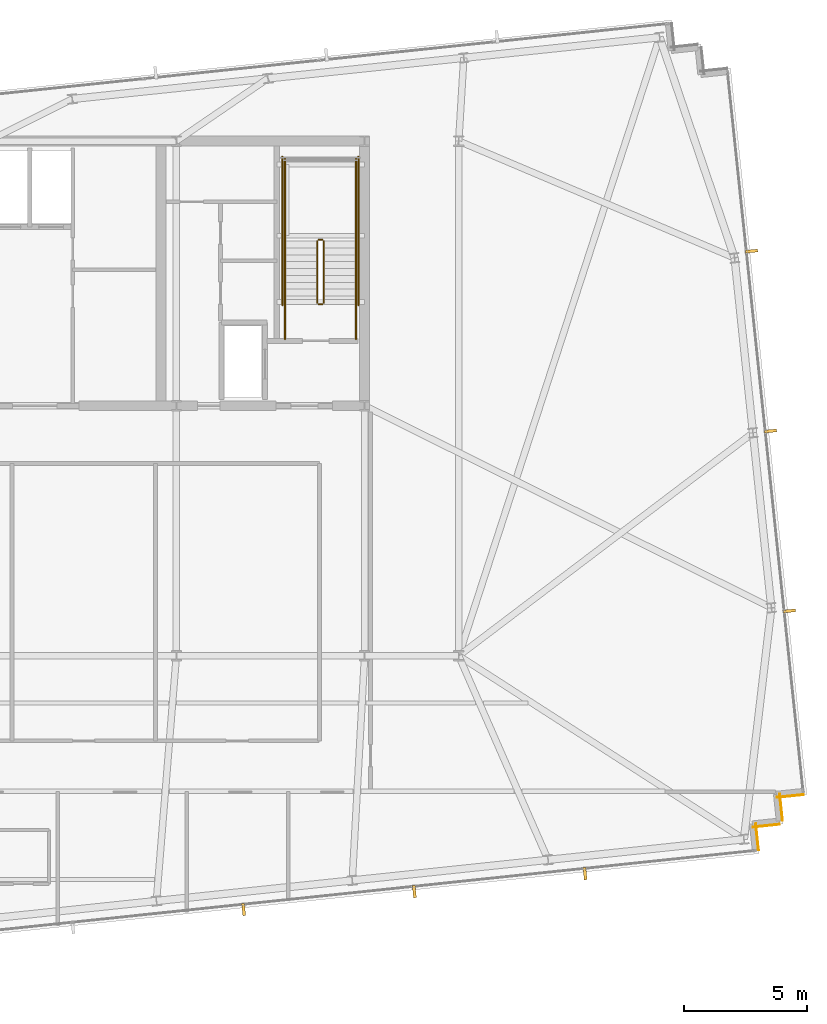
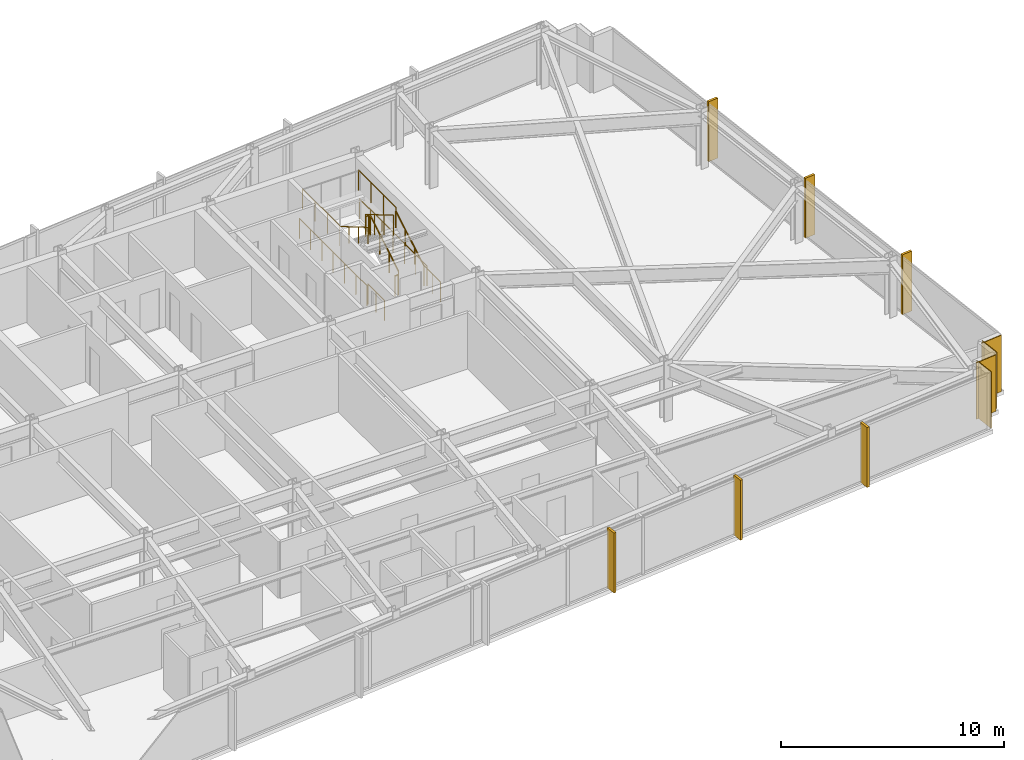
# One storey, part 31 of 32: 12 railings, 6 shading devices, 4 coverings.
"""IFC4 building model written with IfcOpenShell, lengths in metres."""

from ifc_helpers import new_model, si_unit, direction, frame, frame_2d, origin, origin_2d, place, context, subcontext, project, spatial, rectangle, circle, extrude, material, layer, layer_set, type_object, element, save


model = new_model("IFC4")

# Units and contexts
model_context = context("Model", 3, precision=1e-05, world=origin(), true_north=direction((0.0, 1.0)))
body_context = subcontext(model_context, "Body", "Model", "MODEL_VIEW")
ifc_project = project(units=[si_unit("LENGTHUNIT", "METRE"), si_unit("AREAUNIT", "SQUARE_METRE"), si_unit("VOLUMEUNIT", "CUBIC_METRE"), si_unit("PLANEANGLEUNIT", "RADIAN"), si_unit("MASSUNIT", "GRAM", prefix="KILO")], contexts=[model_context])

# Site, building, storey
site_placement = place(None, origin())
site = spatial("IfcSite", under=ifc_project, at=site_placement, CompositionType="ELEMENT")
building_placement = place(site_placement, origin())
building = spatial("IfcBuilding", under=site, at=building_placement, Name="Yelkora Congress Tower", CompositionType="ELEMENT")
storey_placement = place(building_placement, frame((0.0, 0.0, 217.699951171875)))
storey = spatial("IfcBuildingStorey", under=building, at=storey_placement, Name="L60", CompositionType="ELEMENT", Elevation=217.699951171875)

# Coverings
ifc_material_1 = material(Name="Anatolian bush-hammered limestone", Category="masonry")
ifc_layer_1 = layer(ifc_material_1, 0.0400390625)
ifc_layer_set_1 = layer_set([ifc_layer_1], Name="Anatolian bush-hammered limestone")
covering_type = type_object("IfcCoveringType", Name="COV-CLAD-SPANDREL-40", PredefinedType="CLADDING", material=ifc_layer_set_1)
for number, where, z_axis, x_axis, name in (
    (1, (71.668212890625, 19.535888671875, 0.0), (0.0, 0.0, 1.0), (-0.994544300928, -0.104315068386, 0.0), "L60 Anatolian Limestone Cladding EW-L60-SR16"),
    (2, (70.6943359375, 19.569580078125, 0.0), (0.0, 0.0, 1.0), (0.104534592565, -0.994521251134, 0.0), "L60 Anatolian Limestone Cladding EW-L60-SR17"),
    (3, (70.689208984375, 18.3271484375, 0.0), (0.0, 0.0, 1.0), (-0.994521251134, -0.104534592565, 0.0), "L60 Anatolian Limestone Cladding EW-L60-SR18"),
    (4, (69.71533203125, 18.360595703125, 0.0), (0.0, 0.0, 1.0), (0.104534592565, -0.994521251134, 0.0), "L60 Anatolian Limestone Cladding EW-L60-SR19"),
):
    element("IfcCovering", number, at=place(storey_placement, frame(where, z_axis=z_axis, x_axis=x_axis)), inside=storey, type_object=covering_type, Name=name, PredefinedType="CLADDING", context=body_context, shape_type="SweptSolid", body=[
        extrude(rectangle(XDim=1.10009765625, YDim=0.0400390625, at=frame_2d((0.550048828125, 0.0))), origin(), (0.0, 0.0, 1.0), 3.080078125),
    ])

# Railings
ifc_material_2 = material(Name="Painted galvanised steel stair well guard with vertical infill", Category="steel")
ifc_layer_2 = layer(ifc_material_2, 0.06005859375)
ifc_layer_set_2 = layer_set([ifc_layer_2], Name="Painted galvanised steel stair well guard with vertical infill")
railing_type_1 = type_object("IfcRailingType", Name="RAIL-STAIR-GUARD-1120", PredefinedType="GUARDRAIL", material=ifc_layer_set_2)
railing_1_placement = place(storey_placement, frame((52.090087890625, 39.60009765625, 0.1650390625)))
element("IfcRailing", 5, at=railing_1_placement, inside=storey, type_object=railing_type_1, Name="ST-02 L60 Stair Well Guardrail 1", PredefinedType="GUARDRAIL", context=body_context, shape_type="SweptSolid", body=[
    extrude(circle(Radius=0.02392578125, at=origin_2d()), frame((0.0, 0.0, 1.09619140625), z_axis=(0.0, 0.86152411907, 0.507716645641), x_axis=(-1.0, 0.0, 0.0)), (0.0, 0.0, 1.0), 2.925048828125),
    extrude(circle(Radius=0.02099609375, at=origin_2d()), origin(), (0.0, 0.0, 1.0), 1.072021484375),
    extrude(circle(Radius=0.02099609375, at=origin_2d()), frame((0.0, 0.840087890625, 0.4951171875)), (0.0, 0.0, 1.0), 1.072021484375),
    extrude(circle(Radius=0.02099609375, at=origin_2d()), frame((0.0, 1.679931640625, 0.989990234375)), (0.0, 0.0, 1.0), 1.072021484375),
    extrude(circle(Radius=0.02099609375, at=origin_2d()), frame((0.0, 2.52001953125, 1.485107421875)), (0.0, 0.0, 1.0), 1.072021484375),
])
railing_2_placement = place(storey_placement, frame((52.0400390625, 42.169921875, 1.650146484375)))
element("IfcRailing", 6, at=railing_2_placement, inside=storey, type_object=railing_type_1, Name="ST-02 L60 Stair Well Guardrail 2", PredefinedType="GUARDRAIL", context=body_context, shape_type="SweptSolid", body=[
    extrude(circle(Radius=0.02392578125, at=origin_2d()), frame((0.0, 0.0, 1.09619140625), z_axis=(-1.0, 0.0, 0.0), x_axis=(0.0, -1.0, 0.0)), (0.0, 0.0, 1.0), 0.16015625),
    extrude(circle(Radius=0.02099609375, at=origin_2d()), origin(), (0.0, 0.0, 1.0), 1.072021484375),
    extrude(circle(Radius=0.02099609375, at=origin_2d()), frame((-0.16015625, 0.0, 0.0)), (0.0, 0.0, 1.0), 1.072021484375),
])
for number, where, name in (
    (7, (53.409912109375, 42.1201171875, 1.650146484375), "ST-02 L60 Stair Well Guardrail 3"),
    (8, (50.510009765625, 42.1201171875, 1.650146484375), "ST-02 L60 Stair Well Guardrail 4"),
):
    element("IfcRailing", number, at=place(storey_placement, frame(where)), inside=storey, type_object=railing_type_1, Name=name, PredefinedType="GUARDRAIL", context=body_context, shape_type="SweptSolid", body=[
        extrude(circle(Radius=0.02392578125, at=origin_2d()), frame((0.0, 0.0, 1.09619140625), z_axis=(0.0, 1.0, 0.0), x_axis=(-1.0, 0.0, 0.0)), (0.0, 0.0, 1.0), 3.349853515625),
        extrude(circle(Radius=0.02099609375, at=origin_2d()), origin(), (0.0, 0.0, 1.0), 1.072021484375),
        extrude(circle(Radius=0.02099609375, at=origin_2d()), frame((0.0, 1.11669921875, 0.0)), (0.0, 0.0, 1.0), 1.072021484375),
        extrude(circle(Radius=0.02099609375, at=origin_2d()), frame((0.0, 2.233154296875, 0.0)), (0.0, 0.0, 1.0), 1.072021484375),
        extrude(circle(Radius=0.02099609375, at=origin_2d()), frame((0.0, 3.349853515625, 0.0)), (0.0, 0.0, 1.0), 1.072021484375),
    ])
railing_3_placement = place(storey_placement, frame((51.830078125, 42.1201171875, 1.81494140625)))
element("IfcRailing", 9, at=railing_3_placement, inside=storey, type_object=railing_type_1, Name="ST-02 L60 Stair Well Guardrail 6", PredefinedType="GUARDRAIL", context=body_context, shape_type="SweptSolid", body=[
    extrude(circle(Radius=0.02392578125, at=origin_2d()), frame((0.0, 0.0, 1.09619140625), z_axis=(0.0, -0.86152411907, 0.507716645641), x_axis=(1.0, 0.0, 0.0)), (0.0, 0.0, 1.0), 2.925048828125),
    extrude(circle(Radius=0.02099609375, at=origin_2d()), origin(), (0.0, 0.0, 1.0), 1.072021484375),
    extrude(circle(Radius=0.02099609375, at=origin_2d()), frame((0.0, -0.840087890625, 0.4951171875)), (0.0, 0.0, 1.0), 1.072021484375),
    extrude(circle(Radius=0.02099609375, at=origin_2d()), frame((0.0, -1.679931640625, 0.989990234375)), (0.0, 0.0, 1.0), 1.072021484375),
    extrude(circle(Radius=0.02099609375, at=origin_2d()), frame((0.0, -2.52001953125, 1.485107421875)), (0.0, 0.0, 1.0), 1.072021484375),
])
railing_4_placement = place(storey_placement, frame((52.0400390625, 39.550048828125, 0.0)))
element("IfcRailing", 10, at=railing_4_placement, inside=storey, type_object=railing_type_1, Name="ST-02 L60 Stair Well Guardrail 7", PredefinedType="GUARDRAIL", context=body_context, shape_type="SweptSolid", body=[
    extrude(circle(Radius=0.02392578125, at=origin_2d()), frame((0.0, 0.0, 1.09619140625), z_axis=(-1.0, 0.0, 0.0), x_axis=(0.0, -1.0, 0.0)), (0.0, 0.0, 1.0), 0.16015625),
    extrude(circle(Radius=0.02099609375, at=origin_2d()), origin(), (0.0, 0.0, 1.0), 1.072021484375),
    extrude(circle(Radius=0.02099609375, at=origin_2d()), frame((-0.16015625, 0.0, 0.0)), (0.0, 0.0, 1.0), 1.072021484375),
])
for number, where, name in (
    (11, (53.409912109375, 38.1201171875, 0.0), "ST-02 L60 Stair Well Guardrail 8"),
    (12, (50.510009765625, 38.1201171875, 0.0), "ST-02 L60 Stair Well Guardrail 9"),
):
    element("IfcRailing", number, at=place(storey_placement, frame(where)), inside=storey, type_object=railing_type_1, Name=name, PredefinedType="GUARDRAIL", context=body_context, shape_type="SweptSolid", body=[
        extrude(circle(Radius=0.02392578125, at=origin_2d()), frame((0.0, 0.0, 1.09619140625), z_axis=(0.0, 1.0, 0.0), x_axis=(-1.0, 0.0, 0.0)), (0.0, 0.0, 1.0), 1.47998046875),
        extrude(circle(Radius=0.02099609375, at=origin_2d()), origin(), (0.0, 0.0, 1.0), 1.072021484375),
        extrude(circle(Radius=0.02099609375, at=origin_2d()), frame((0.0, 0.739990234375, 0.0)), (0.0, 0.0, 1.0), 1.072021484375),
        extrude(circle(Radius=0.02099609375, at=origin_2d()), frame((0.0, 1.47998046875, 0.0)), (0.0, 0.0, 1.0), 1.072021484375),
    ])
for number, where, name in (
    (13, (53.510009765625, 39.5, 0.0), "ST-02 L60 Stair Well Guardrail 10"),
    (14, (50.409912109375, 39.5, 0.0), "ST-02 L60 Stair Well Guardrail 11"),
):
    element("IfcRailing", number, at=place(storey_placement, frame(where)), inside=storey, type_object=railing_type_1, Name=name, PredefinedType="GUARDRAIL", context=body_context, shape_type="SweptSolid", body=[
        extrude(circle(Radius=0.02392578125, at=origin_2d()), frame((0.0, 0.0, 1.09619140625), z_axis=(0.0, 1.0, 0.0), x_axis=(-1.0, 0.0, 0.0)), (0.0, 0.0, 1.0), 6.070068359375),
        extrude(circle(Radius=0.02099609375, at=origin_2d()), origin(), (0.0, 0.0, 1.0), 1.072021484375),
        extrude(circle(Radius=0.02099609375, at=origin_2d()), frame((0.0, 1.01171875, 0.0)), (0.0, 0.0, 1.0), 1.072021484375),
        extrude(circle(Radius=0.02099609375, at=origin_2d()), frame((0.0, 2.0234375, 0.0)), (0.0, 0.0, 1.0), 1.072021484375),
        extrude(circle(Radius=0.02099609375, at=origin_2d()), frame((0.0, 3.03515625, 0.0)), (0.0, 0.0, 1.0), 1.072021484375),
        extrude(circle(Radius=0.02099609375, at=origin_2d()), frame((0.0, 4.046630859375, 0.0)), (0.0, 0.0, 1.0), 1.072021484375),
        extrude(circle(Radius=0.02099609375, at=origin_2d()), frame((0.0, 5.058349609375, 0.0)), (0.0, 0.0, 1.0), 1.072021484375),
        extrude(circle(Radius=0.02099609375, at=origin_2d()), frame((0.0, 6.070068359375, 0.0)), (0.0, 0.0, 1.0), 1.072021484375),
    ])
ifc_material_3 = material(Name="Brushed stainless steel tubular handrail", Category="steel")
ifc_layer_3 = layer(ifc_material_3, 0.050048828125)
ifc_layer_set_3 = layer_set([ifc_layer_3], Name="Brushed stainless steel tubular handrail")
railing_type_2 = type_object("IfcRailingType", Name="RAIL-STAIR-HAND-920", PredefinedType="HANDRAIL", material=ifc_layer_set_3)
railing_5_placement = place(storey_placement, frame((53.409912109375, 39.60009765625, 0.1650390625)))
element("IfcRailing", 15, at=railing_5_placement, inside=storey, type_object=railing_type_2, Name="ST-02 L60 Pitch Handrail 1", PredefinedType="HANDRAIL", context=body_context, shape_type="SweptSolid", body=[
    extrude(circle(Radius=0.02392578125, at=origin_2d()), frame((0.0, 0.0, 0.89599609375), z_axis=(0.0, 0.86152411907, 0.507716645641), x_axis=(-1.0, 0.0, 0.0)), (0.0, 0.0, 1.0), 2.925048828125),
    extrude(circle(Radius=0.02099609375, at=origin_2d()), origin(), (0.0, 0.0, 1.0), 0.871826171875),
    extrude(circle(Radius=0.02099609375, at=origin_2d()), frame((0.0, 0.840087890625, 0.4951171875)), (0.0, 0.0, 1.0), 0.871826171875),
    extrude(circle(Radius=0.02099609375, at=origin_2d()), frame((0.0, 1.679931640625, 0.989990234375)), (0.0, 0.0, 1.0), 0.871826171875),
    extrude(circle(Radius=0.02099609375, at=origin_2d()), frame((0.0, 2.52001953125, 1.485107421875)), (0.0, 0.0, 1.0), 0.871826171875),
])
railing_6_placement = place(storey_placement, frame((50.510009765625, 42.1201171875, 1.81494140625)))
element("IfcRailing", 16, at=railing_6_placement, inside=storey, type_object=railing_type_2, Name="ST-02 L60 Pitch Handrail 2", PredefinedType="HANDRAIL", context=body_context, shape_type="SweptSolid", body=[
    extrude(circle(Radius=0.02392578125, at=origin_2d()), frame((0.0, 0.0, 0.89599609375), z_axis=(0.0, -0.86152411907, 0.507716645641), x_axis=(1.0, 0.0, 0.0)), (0.0, 0.0, 1.0), 2.925048828125),
    extrude(circle(Radius=0.02099609375, at=origin_2d()), origin(), (0.0, 0.0, 1.0), 0.871826171875),
    extrude(circle(Radius=0.02099609375, at=origin_2d()), frame((0.0, -0.840087890625, 0.4951171875)), (0.0, 0.0, 1.0), 0.871826171875),
    extrude(circle(Radius=0.02099609375, at=origin_2d()), frame((0.0, -1.679931640625, 0.989990234375)), (0.0, 0.0, 1.0), 0.871826171875),
    extrude(circle(Radius=0.02099609375, at=origin_2d()), frame((0.0, -2.52001953125, 1.485107421875)), (0.0, 0.0, 1.0), 0.871826171875),
])

# Shading devices
ifc_material_4 = material(Name="Champagne anodised aluminium", Category="aluminium")
ifc_layer_4 = layer(ifc_material_4, 3.300048828125)
ifc_layer_set_4 = layer_set([ifc_layer_4], Name="Champagne anodised aluminium")
shading_device_type = type_object("IfcShadingDeviceType", Name="SHD-FIN-ALU-520", PredefinedType="USERDEFINED", material=ifc_layer_set_4)
for number, where, z_axis, x_axis, name in (
    (17, (69.538818359375, 41.7099609375, -0.02978515625), (0.0, 0.0, 1.0), (0.104528463268, -0.994521895368, 0.0), "L60 Vertical Anodised Solar Fin 15-1"),
    (18, (70.31005859375, 34.370361328125, -0.02978515625), (0.0, 0.0, 1.0), (0.104528463268, -0.994521895368, 0.0), "L60 Vertical Anodised Solar Fin 15-2"),
    (19, (71.08154296875, 27.03076171875, -0.02978515625), (0.0, 0.0, 1.0), (0.104528463268, -0.994521895368, 0.0), "L60 Vertical Anodised Solar Fin 15-3"),
    (20, (62.75244140625, 16.321533203125, -0.02978515625), (0.0, 0.0, 1.0), (-0.994521895368, -0.104528463268, 0.0), "L60 Vertical Anodised Solar Fin 20-1"),
    (21, (55.7880859375, 15.589599609375, -0.02978515625), (0.0, 0.0, 1.0), (-0.994521895368, -0.104528463268, 0.0), "L60 Vertical Anodised Solar Fin 20-2"),
    (22, (48.823486328125, 14.857421875, -0.02978515625), (0.0, 0.0, 1.0), (-0.994521895368, -0.104528463268, 0.0), "L60 Vertical Anodised Solar Fin 20-3"),
):
    element("IfcShadingDevice", number, at=place(storey_placement, frame(where, z_axis=z_axis, x_axis=x_axis)), inside=storey, type_object=shading_device_type, Name=name, ObjectType="FIN", PredefinedType="USERDEFINED", context=body_context, shape_type="SweptSolid", body=[
        extrude(rectangle(XDim=0.1201171875, YDim=0.52001953125, at=origin_2d()), origin(), (0.0, 0.0, 1.0), 3.280029296875),
    ])

save(model, "model.ifc")
